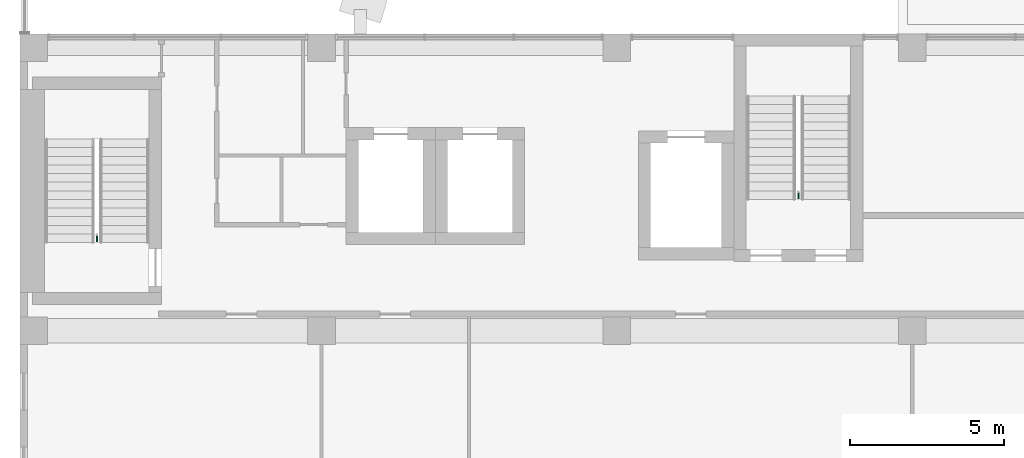
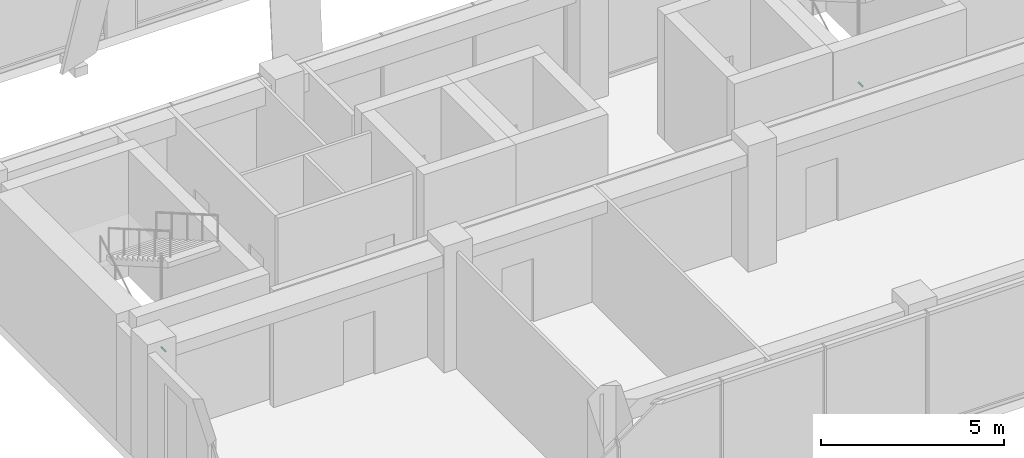
# One storey, part 37 of 38: 2 pipe fittings.
"""IFC4 building model written with IfcOpenShell, lengths in metres."""

import ifcopenshell
import ifcopenshell.guid

model = None  # the IFC model being written
_history = None  # IfcOwnerHistory: only IFC2X3 demands one
_inside = {}  # id of a spatial element -> (the spatial element, [elements in it])
_under = {}  # id of a project, library or spatial element -> (it, [spatial elements below it])
_declared = {}  # id of a project -> (the project, [libraries it declares])
_typed = {}  # id of a type object -> (the type object, [elements of that type])
_made_of = {}  # id of a material, layer set ... -> (it, [elements and type objects made of it])


def new_model(schema):
    """Start an empty IFC model of exactly this schema.

    Asked for "IFC4X3", IfcOpenShell would pick the latest addendum, in which some entities
    have other attributes; the version numbers below select the first issue.
    IFC2X3 requires an IfcOwnerHistory on every rooted entity: one is made here for all.
    """
    global model, _history
    if schema == "IFC4X3":
        model = ifcopenshell.file(schema_version=(4, 3, 0, 0))
    else:
        model = ifcopenshell.file(schema=schema)
    _inside.clear()
    _under.clear()
    _declared.clear()
    _typed.clear()
    _made_of.clear()
    _history = None
    if model.schema == "IFC2X3":
        org = make("IfcOrganization", Name="unknown")
        user = make(
            "IfcPersonAndOrganization",
            ThePerson=make("IfcPerson", FamilyName="unknown"),
            TheOrganization=org,
        )
        app = make(
            "IfcApplication",
            ApplicationDeveloper=org,
            Version="unknown",
            ApplicationFullName="unknown",
            ApplicationIdentifier="unknown",
        )
        _history = make(
            "IfcOwnerHistory",
            OwningUser=user,
            OwningApplication=app,
            ChangeAction="ADDED",
            CreationDate=0,
        )
    return model


def make(cls, **values):
    """One entity of the class cls with the attributes given. An attribute that is None is left unset."""
    return model.create_entity(
        cls, **{name: value for name, value in values.items() if value is not None}
    )


def rooted(cls, **values):
    """An entity with a GlobalId (a new one), such as an element, a storey or a relation."""
    return make(cls, GlobalId=ifcopenshell.guid.new(), OwnerHistory=_history, **values)


def si_unit(unit_type, name, prefix=None):
    """IfcSIUnit, for example si_unit("LENGTHUNIT", "METRE", prefix="MILLI")."""
    return make("IfcSIUnit", UnitType=unit_type, Prefix=prefix, Name=name)


def assignment(units):
    """IfcUnitAssignment: the units of a project."""
    return None if units is None else make("IfcUnitAssignment", Units=units)


def point(xyz):
    """IfcCartesianPoint."""
    return None if xyz is None else make("IfcCartesianPoint", Coordinates=xyz)


def direction(xyz):
    """IfcDirection."""
    return None if xyz is None else make("IfcDirection", DirectionRatios=xyz)


def frame(location, z_axis=None, x_axis=None):
    """IfcAxis2Placement3D, a coordinate frame: its origin and axes. An axis left out is left unset."""
    return make(
        "IfcAxis2Placement3D",
        Location=point(location),
        Axis=direction(z_axis),
        RefDirection=direction(x_axis),
    )


def frame_2d(location, x_axis=None):
    """IfcAxis2Placement2D, a coordinate frame in the plane: its origin and x axis."""
    return make(
        "IfcAxis2Placement2D", Location=point(location), RefDirection=direction(x_axis)
    )


def origin():
    """The frame at (0, 0, 0) with its axes left unset."""
    return frame((0.0, 0.0, 0.0))


def origin_2d():
    """The frame at (0, 0) in the plane with its x axis left unset."""
    return frame_2d((0.0, 0.0))


def place(relative_to, where):
    """IfcLocalPlacement: puts the frame where relative to a parent placement (None: the world)."""
    return make(
        "IfcLocalPlacement", PlacementRelTo=relative_to, RelativePlacement=where
    )


def context(
    kind, dimensions, precision=None, world=None, true_north=None, identifier=None
):
    """IfcGeometricRepresentationContext, for example the 3D "Model" context."""
    return make(
        "IfcGeometricRepresentationContext",
        ContextIdentifier=identifier,
        ContextType=kind,
        CoordinateSpaceDimension=dimensions,
        Precision=precision,
        WorldCoordinateSystem=world,
        TrueNorth=true_north,
    )


def subcontext(parent, identifier, kind, view, scale=None):
    """IfcGeometricRepresentationSubContext, for example "Body" below "Model"."""
    return make(
        "IfcGeometricRepresentationSubContext",
        ContextIdentifier=identifier,
        ContextType=kind,
        ParentContext=parent,
        TargetScale=scale,
        TargetView=view,
    )


def project(units=None, contexts=None):
    """IfcProject with its units and contexts."""
    return rooted(
        "IfcProject",
        Name="project",
        RepresentationContexts=contexts,
        UnitsInContext=assignment(units),
    )


def spatial(cls, under=None, at=None, **own):
    """A site, building, storey or space (cls), placed at a placement, below another one or the project."""
    s = rooted(cls, ObjectPlacement=at, **own)
    if under is not None:
        _under.setdefault(under.id(), (under, []))[1].append(s)
    return s


def profile(cls, at=None, kind="AREA", **sizes):
    """A parametric profile (cls). Its sizes go by their IFC names, for example OverallWidth=200.0."""
    return make(cls, ProfileType=kind, Position=at, **sizes)


def circle(**sizes):
    """IfcCircleProfileDef."""
    return profile("IfcCircleProfileDef", **sizes)


def extrude(swept, where, along, depth):
    """IfcExtrudedAreaSolid: the profile swept, set in the frame where, extruded along a direction by depth."""
    return make(
        "IfcExtrudedAreaSolid",
        SweptArea=swept,
        Position=where,
        ExtrudedDirection=direction(along),
        Depth=depth,
    )


def shape(context_of_items, identifier, shape_type, items):
    """IfcShapeRepresentation: the items that make up one representation, for example the "Body"."""
    return make(
        "IfcShapeRepresentation",
        ContextOfItems=context_of_items,
        RepresentationIdentifier=identifier,
        RepresentationType=shape_type,
        Items=items,
    )


def made_of(thing, what):
    """Note that an element or type object is made of a material, layer set ...; save() writes the relation."""
    if what is not None:
        _made_of.setdefault(what.id(), (what, []))[1].append(thing)
    return thing


def element(
    cls,
    number,
    at=None,
    inside=None,
    cuts=None,
    type_object=None,
    material=None,
    context=None,
    identifier="Body",
    shape_type=None,
    held_by="IfcProductDefinitionShape",
    body=None,
    shapes=None,
    **own,
):
    """One element of the class cls, such as IfcWall. Its Tag is "e" and its number.

    at: its placement. inside: the storey or other place that contains it. cuts: it is an
    opening in that element (IfcRelVoidsElement). A single representation is given by context,
    identifier, shape_type and body (its items); several are given by shapes. held_by: the class
    of the entity that holds the representations. save() writes the other relations.
    """
    e = rooted(cls, Tag="e%d" % number, ObjectPlacement=at, **own)
    if body is not None:
        shapes = [shape(context, identifier, shape_type, body)]
    if shapes is not None:
        e.Representation = make(held_by, Representations=shapes)
    if inside is not None:
        _inside.setdefault(inside.id(), (inside, []))[1].append(e)
    if cuts is not None:
        rooted(
            "IfcRelVoidsElement", RelatingBuildingElement=cuts, RelatedOpeningElement=e
        )
    if type_object is not None:
        _typed.setdefault(type_object.id(), (type_object, []))[1].append(e)
    return made_of(e, material)


def aggregate(whole, parts):
    """IfcRelAggregates: a whole, such as a stair, and the parts it consists of."""
    return rooted("IfcRelAggregates", RelatingObject=whole, RelatedObjects=parts)


def save(model, path):
    """Write the relations noted so far, then the file.

    IfcRelAggregates (storeys below a building ...), IfcRelContainedInSpatialStructure (elements
    in a storey), IfcRelDefinesByType, IfcRelAssociatesMaterial and IfcRelDeclares: one each for
    every whole, place, type object, material and project.
    """
    for whole, parts in _under.values():
        aggregate(whole, parts)
    for where, things in _inside.values():
        rooted(
            "IfcRelContainedInSpatialStructure",
            RelatedElements=things,
            RelatingStructure=where,
        )
    for kind, things in _typed.values():
        rooted("IfcRelDefinesByType", RelatedObjects=things, RelatingType=kind)
    for what, things in _made_of.values():
        rooted("IfcRelAssociatesMaterial", RelatedObjects=things, RelatingMaterial=what)
    for by, libraries in _declared.values():
        rooted("IfcRelDeclares", RelatingContext=by, RelatedDefinitions=libraries)
    model.write(path)


model = new_model("IFC4")

# Units and contexts
model_context = context("Model", 3, precision=1e-05, world=origin(), true_north=direction((0.0, 1.0)))
body_context = subcontext(model_context, "Body", "Model", "MODEL_VIEW")
ifc_project = project(units=[si_unit("LENGTHUNIT", "METRE"), si_unit("AREAUNIT", "SQUARE_METRE"), si_unit("VOLUMEUNIT", "CUBIC_METRE"), si_unit("PLANEANGLEUNIT", "RADIAN"), si_unit("MASSUNIT", "GRAM", prefix="KILO")], contexts=[model_context])

# Site, building, storey
site_placement = place(None, origin())
site = spatial("IfcSite", under=ifc_project, at=site_placement, CompositionType="ELEMENT")
building_placement = place(site_placement, origin())
building = spatial("IfcBuilding", under=site, at=building_placement, Name="Nzadi Deep Aquarium and Research Tower", CompositionType="ELEMENT")
storey_placement = place(building_placement, frame((0.0, 0.0, 52.89990234375)))
storey = spatial("IfcBuildingStorey", under=building, at=storey_placement, Name="L10", CompositionType="ELEMENT", Elevation=52.89990234375)

# Pipe fittings
for number, where, z_axis, x_axis, name in (
    (1, (2.300048828125, 12.320068359375, 1.10009765625), (0.0, -1.0, 0.0), (1.0, 0.0, 0.0), "Dry riser outlet ST-Z1-SW L10"),
    (2, (25.10009765625, 13.719970703125, 1.10009765625), (0.0, -1.0, 0.0), (1.0, 0.0, 0.0), "Dry riser outlet ST-Z1-SE L10"),
):
    element("IfcPipeFitting", number, at=place(storey_placement, frame(where, z_axis=z_axis, x_axis=x_axis)), inside=storey, Name=name, PredefinedType="EXIT", context=body_context, shape_type="SweptSolid", body=[
        extrude(circle(Radius=0.0224609375, at=origin_2d()), origin(), (0.0, 0.0, 1.0), 0.22998046875),
    ])

save(model, "model.ifc")
